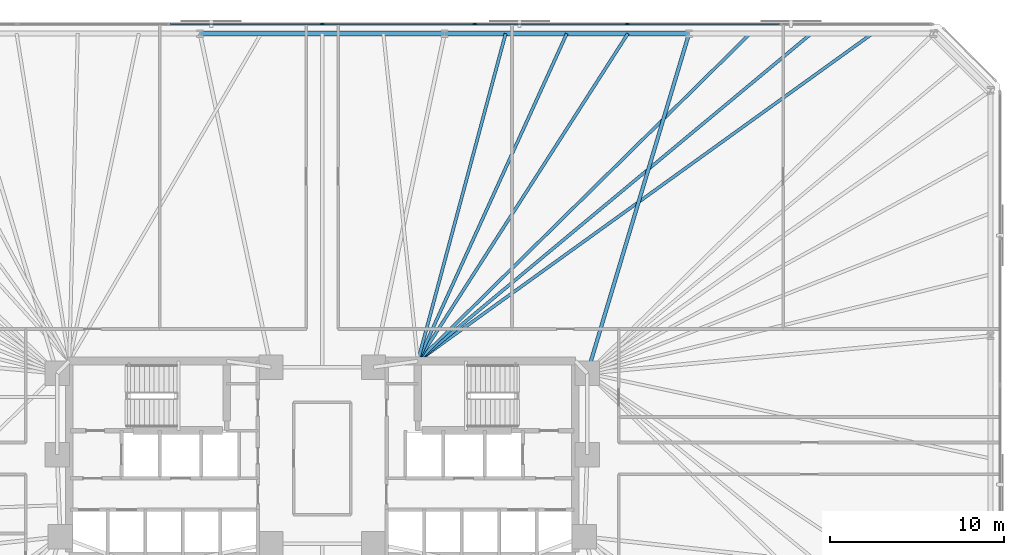
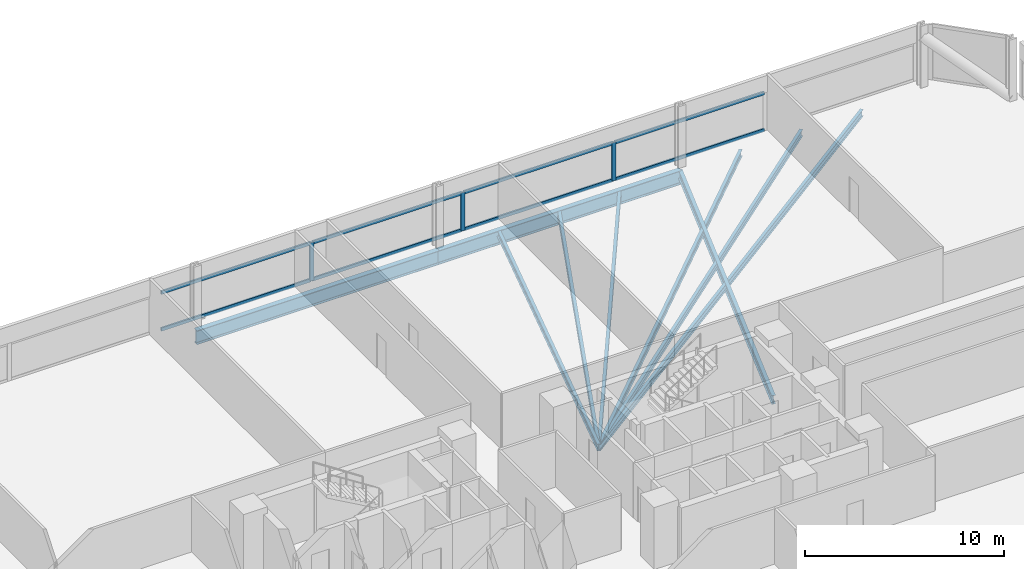
# One storey, part 9 of 17: 11 members, 9 beams, 1 element without a shape of its own.
"""IFC4 building model written with IfcOpenShell, lengths in metres."""

from ifc_helpers import new_model, si_unit, direction, frame, origin, origin_2d, place, context, subcontext, project, spatial, rectangle, i_section, extrude, material, material_profile, profile_set, type_object, element, aggregate, save


model = new_model("IFC4")

# Units and contexts
model_context = context("Model", 3, precision=1e-05, world=origin(), true_north=direction((0.0, 1.0)))
body_context = subcontext(model_context, "Body", "Model", "MODEL_VIEW")
ifc_project = project(units=[si_unit("LENGTHUNIT", "METRE"), si_unit("AREAUNIT", "SQUARE_METRE"), si_unit("VOLUMEUNIT", "CUBIC_METRE"), si_unit("PLANEANGLEUNIT", "RADIAN"), si_unit("MASSUNIT", "GRAM", prefix="KILO")], contexts=[model_context])

# Site, building, storey
site_placement = place(None, origin())
site = spatial("IfcSite", under=ifc_project, at=site_placement, CompositionType="ELEMENT")
building_placement = place(site_placement, origin())
building = spatial("IfcBuilding", under=site, at=building_placement, Name="Menara Jurai Vektor", CompositionType="ELEMENT")
storey_placement = place(building_placement, frame((0.0, 0.0, 75.0)))
storey = spatial("IfcBuildingStorey", under=building, at=storey_placement, Name="L18", CompositionType="ELEMENT", Elevation=75.0)

# Curtain wall, members
ifc_material_1 = material(Name="Anodised Pale Aluminium & Low-E Double Glazing", Category="aluminium")
curtain_wall_type = type_object("IfcCurtainWallType", Name="CW-BLK1", PredefinedType="NOTDEFINED", material=ifc_material_1)
curtain_wall_placement = place(storey_placement, origin())
curtain_wall = element("IfcCurtainWall", 1, at=curtain_wall_placement, inside=storey, type_object=curtain_wall_type, Name="Unitised Curtain Wall L18 F05", PredefinedType="NOTDEFINED")
ifc_material_2 = material(Name="Anodised Pale Aluminium Mullion", Category="aluminium")
ifc_material_profile_1 = material_profile(ifc_material_2, rectangle(XDim=0.094970703125, YDim=0.239990234375, at=origin_2d()), Name="ALU MUL 95x240")
ifc_profile_set_1 = profile_set([ifc_material_profile_1], Name="Anodised Pale Aluminium Mullion")
member_type_1 = type_object("IfcMemberType", Name="CW-BLK1-MUL", PredefinedType="MULLION", material=ifc_profile_set_1)
member_1_placement = place(storey_placement, frame((17.56005859375, 25.0, 0.0), z_axis=(0.0, 0.0, 1.0), x_axis=(0.0, -1.0, 0.0)))
member_1 = element("IfcMember", 2, at=member_1_placement, type_object=member_type_1, Name="CW-01 mullion 3", PredefinedType="MULLION", context=body_context, shape_type="SweptSolid", body=[
    extrude(rectangle(XDim=0.094970703125, YDim=0.239990234375, at=origin_2d()), origin(), (0.0, 0.0, 1.0), 2.35888671875),
])
member_2_placement = place(storey_placement, frame((8.780029296875, 25.0, 0.0), z_axis=(0.0, 0.0, 1.0), x_axis=(0.0, -1.0, 0.0)))
member_2 = element("IfcMember", 3, at=member_2_placement, type_object=member_type_1, Name="CW-01 mullion 4", PredefinedType="MULLION", context=body_context, shape_type="SweptSolid", body=[
    extrude(rectangle(XDim=0.094970703125, YDim=0.239990234375, at=origin_2d()), origin(), (0.0, 0.0, 1.0), 2.35888671875),
])
member_3_placement = place(storey_placement, frame((0.0, 25.0, 0.0), z_axis=(0.0, 0.0, 1.0), x_axis=(0.0, -1.0, 0.0)))
member_3 = element("IfcMember", 4, at=member_3_placement, type_object=member_type_1, Name="CW-01 mullion 5", PredefinedType="MULLION", context=body_context, shape_type="SweptSolid", body=[
    extrude(rectangle(XDim=0.094970703125, YDim=0.239990234375, at=origin_2d()), origin(), (0.0, 0.0, 1.0), 2.35888671875),
])
ifc_material_3 = material(Name="Anodised Pale Aluminium Transom", Category="aluminium")
ifc_material_profile_2 = material_profile(ifc_material_3, rectangle(XDim=0.094970703125, YDim=0.199951171875, at=origin_2d()), Name="ALU TRN 95x200")
ifc_profile_set_2 = profile_set([ifc_material_profile_2], Name="Anodised Pale Aluminium Transom")
member_type_2 = type_object("IfcMemberType", Name="CW-BLK1-TRN", PredefinedType="USERDEFINED", material=ifc_profile_set_2)
member_4_placement = place(storey_placement, frame((26.29248046875, 25.0, 0.047607421875), z_axis=(-1.0, 0.0, 0.0), x_axis=(0.0, -1.0, 0.0)))
member_4 = element("IfcMember", 5, at=member_4_placement, type_object=member_type_2, Name="CW-01 transom 2.1", ObjectType="TRANSOM", PredefinedType="USERDEFINED", context=body_context, shape_type="SweptSolid", body=[
    extrude(rectangle(XDim=0.094970703125, YDim=0.199951171875, at=origin_2d()), origin(), (0.0, 0.0, 1.0), 8.68505859375),
])
member_5_placement = place(storey_placement, frame((26.29248046875, 25.0, 2.3115234375), z_axis=(-1.0, 0.0, 0.0), x_axis=(0.0, -1.0, 0.0)))
member_5 = element("IfcMember", 6, at=member_5_placement, type_object=member_type_2, Name="CW-01 transom 2.2", ObjectType="TRANSOM", PredefinedType="USERDEFINED", context=body_context, shape_type="SweptSolid", body=[
    extrude(rectangle(XDim=0.094970703125, YDim=0.199951171875, at=origin_2d()), origin(), (0.0, 0.0, 1.0), 8.68505859375),
])
member_6_placement = place(storey_placement, frame((17.512451171875, 25.0, 0.047607421875), z_axis=(-1.0, 0.0, 0.0), x_axis=(0.0, -1.0, 0.0)))
member_6 = element("IfcMember", 7, at=member_6_placement, type_object=member_type_2, Name="CW-01 transom 3.1", ObjectType="TRANSOM", PredefinedType="USERDEFINED", context=body_context, shape_type="SweptSolid", body=[
    extrude(rectangle(XDim=0.094970703125, YDim=0.199951171875, at=origin_2d()), origin(), (0.0, 0.0, 1.0), 8.68505859375),
])
member_7_placement = place(storey_placement, frame((17.512451171875, 25.0, 2.3115234375), z_axis=(-1.0, 0.0, 0.0), x_axis=(0.0, -1.0, 0.0)))
member_7 = element("IfcMember", 8, at=member_7_placement, type_object=member_type_2, Name="CW-01 transom 3.2", ObjectType="TRANSOM", PredefinedType="USERDEFINED", context=body_context, shape_type="SweptSolid", body=[
    extrude(rectangle(XDim=0.094970703125, YDim=0.199951171875, at=origin_2d()), origin(), (0.0, 0.0, 1.0), 8.68505859375),
])
member_8_placement = place(storey_placement, frame((8.732421875, 25.0, 0.047607421875), z_axis=(-1.0, 0.0, 0.0), x_axis=(0.0, -1.0, 0.0)))
member_8 = element("IfcMember", 9, at=member_8_placement, type_object=member_type_2, Name="CW-01 transom 4.1", ObjectType="TRANSOM", PredefinedType="USERDEFINED", context=body_context, shape_type="SweptSolid", body=[
    extrude(rectangle(XDim=0.094970703125, YDim=0.199951171875, at=origin_2d()), origin(), (0.0, 0.0, 1.0), 8.684814453125),
])
member_9_placement = place(storey_placement, frame((8.732421875, 25.0, 2.3115234375), z_axis=(-1.0, 0.0, 0.0), x_axis=(0.0, -1.0, 0.0)))
member_9 = element("IfcMember", 10, at=member_9_placement, type_object=member_type_2, Name="CW-01 transom 4.2", ObjectType="TRANSOM", PredefinedType="USERDEFINED", context=body_context, shape_type="SweptSolid", body=[
    extrude(rectangle(XDim=0.094970703125, YDim=0.199951171875, at=origin_2d()), origin(), (0.0, 0.0, 1.0), 8.684814453125),
])
member_10_placement = place(storey_placement, frame((-0.047607421875, 25.0, 0.047607421875), z_axis=(-1.0, 0.0, 0.0), x_axis=(0.0, -1.0, 0.0)))
member_10 = element("IfcMember", 11, at=member_10_placement, type_object=member_type_2, Name="CW-01 transom 5.1", ObjectType="TRANSOM", PredefinedType="USERDEFINED", context=body_context, shape_type="SweptSolid", body=[
    extrude(rectangle(XDim=0.094970703125, YDim=0.199951171875, at=origin_2d()), origin(), (0.0, 0.0, 1.0), 8.684814453125),
])
member_11_placement = place(storey_placement, frame((-0.047607421875, 25.0, 2.3115234375), z_axis=(-1.0, 0.0, 0.0), x_axis=(0.0, -1.0, 0.0)))
member_11 = element("IfcMember", 12, at=member_11_placement, type_object=member_type_2, Name="CW-01 transom 5.2", ObjectType="TRANSOM", PredefinedType="USERDEFINED", context=body_context, shape_type="SweptSolid", body=[
    extrude(rectangle(XDim=0.094970703125, YDim=0.199951171875, at=origin_2d()), origin(), (0.0, 0.0, 1.0), 8.684814453125),
])
aggregate(curtain_wall, [member_1, member_2, member_3, member_4, member_5, member_6, member_7, member_8, member_9, member_10, member_11])

# Beams
ifc_material_4 = material(Name="Steel S355", Category="steel")
ifc_material_profile_3 = material_profile(ifc_material_4, i_section(OverallWidth=0.2109375, OverallDepth=0.5390625, WebThickness=0.011962890625, FlangeThickness=0.01904296875, FilletRadius=0.012939453125, at=origin_2d()), Name="UKB 533x210x109")
ifc_profile_set_3 = profile_set([ifc_material_profile_3], Name="Steel S355")
beam_type_1 = type_object("IfcBeamType", Name="STR-BM-533", PredefinedType="BEAM", material=ifc_profile_set_3)
beam_1_placement = place(storey_placement, frame((21.106689453125, 24.449951171875, -0.494384765625), z_axis=(-0.286973617166, -0.957938486047, 0.0), x_axis=(0.957938486047, -0.286973617166, 0.0)))
element("IfcBeam", 13, at=beam_1_placement, inside=storey, type_object=beam_type_1, Name="Radial Floor Girder L18-N2", PredefinedType="BEAM", context=body_context, shape_type="SweptSolid", body=[
    extrude(i_section(OverallWidth=0.2109375, OverallDepth=0.5390625, WebThickness=0.011962890625, FlangeThickness=0.01904296875, FilletRadius=0.012939453125, at=origin_2d()), origin(), (0.0, 0.0, 1.0), 20.408447265625),
])
ifc_material_profile_4 = material_profile(ifc_material_4, i_section(OverallWidth=0.178955078125, OverallDepth=0.408935546875, WebThickness=0.009033203125, FlangeThickness=0.013916015625, FilletRadius=0.010009765625, at=origin_2d()), Name="UKB 406x178x67")
ifc_profile_set_4 = profile_set([ifc_material_profile_4], Name="Steel S355")
beam_type_2 = type_object("IfcBeamType", Name="STR-JS-406", PredefinedType="JOIST", material=ifc_profile_set_4)
beam_2_placement = place(storey_placement, frame((31.659912109375, 24.449951171875, -0.429443359375), z_axis=(-0.81131785733, -0.584605280833, 0.0), x_axis=(0.584605280833, -0.81131785733, 0.0)))
element("IfcBeam", 14, at=beam_2_placement, inside=storey, type_object=beam_type_2, Name="Radial Secondary Floor Joist L18-JS16", PredefinedType="JOIST", context=body_context, shape_type="SweptSolid", body=[
    extrude(i_section(OverallWidth=0.178955078125, OverallDepth=0.408935546875, WebThickness=0.009033203125, FlangeThickness=0.013916015625, FilletRadius=0.010009765625, at=origin_2d()), origin(), (0.0, 0.0, 1.0), 32.24365234375),
])
beam_3_placement = place(storey_placement, frame((28.142333984375, 24.449951171875, -0.429443359375), z_axis=(-0.76853431665, -0.639808568347, 0.0), x_axis=(0.639808568347, -0.76853431665, 0.0)))
element("IfcBeam", 15, at=beam_3_placement, inside=storey, type_object=beam_type_2, Name="Radial Secondary Floor Joist L18-JS17", PredefinedType="JOIST", context=body_context, shape_type="SweptSolid", body=[
    extrude(i_section(OverallWidth=0.178955078125, OverallDepth=0.408935546875, WebThickness=0.009033203125, FlangeThickness=0.013916015625, FilletRadius=0.010009765625, at=origin_2d()), origin(), (0.0, 0.0, 1.0), 29.461669921875),
])
beam_4_placement = place(storey_placement, frame((24.62451171875, 24.449951171875, -0.429443359375), z_axis=(-0.712202462998, -0.70197411042, 0.0), x_axis=(0.70197411042, -0.712202462998, 0.0)))
element("IfcBeam", 16, at=beam_4_placement, inside=storey, type_object=beam_type_2, Name="Radial Secondary Floor Joist L18-JS18", PredefinedType="JOIST", context=body_context, shape_type="SweptSolid", body=[
    extrude(i_section(OverallWidth=0.178955078125, OverallDepth=0.408935546875, WebThickness=0.009033203125, FlangeThickness=0.013916015625, FilletRadius=0.010009765625, at=origin_2d()), origin(), (0.0, 0.0, 1.0), 26.8525390625),
])
beam_5_placement = place(storey_placement, frame((17.5888671875, 24.449951171875, -0.429443359375), z_axis=(-0.53984422461, -0.841764939372, 0.0), x_axis=(0.841764939372, -0.53984422461, 0.0)))
element("IfcBeam", 17, at=beam_5_placement, inside=storey, type_object=beam_type_2, Name="Radial Secondary Floor Joist L18-JS19", PredefinedType="JOIST", context=body_context, shape_type="SweptSolid", body=[
    extrude(i_section(OverallWidth=0.178955078125, OverallDepth=0.408935546875, WebThickness=0.009033203125, FlangeThickness=0.013916015625, FilletRadius=0.010009765625, at=origin_2d()), origin(), (0.0, 0.0, 1.0), 22.393310546875),
])
beam_6_placement = place(storey_placement, frame((14.071044921875, 24.449951171875, -0.429443359375), z_axis=(-0.413920197297, -0.910313171535, 0.0), x_axis=(0.910313171535, -0.413920197297, 0.0)))
element("IfcBeam", 18, at=beam_6_placement, inside=storey, type_object=beam_type_2, Name="Radial Secondary Floor Joist L18-JS20", PredefinedType="JOIST", context=body_context, shape_type="SweptSolid", body=[
    extrude(i_section(OverallWidth=0.178955078125, OverallDepth=0.408935546875, WebThickness=0.009033203125, FlangeThickness=0.013916015625, FilletRadius=0.010009765625, at=origin_2d()), origin(), (0.0, 0.0, 1.0), 20.70703125),
])
beam_7_placement = place(storey_placement, frame((10.55322265625, 24.449951171875, -0.429443359375), z_axis=(-0.258934723238, -0.965894823002, 0.0), x_axis=(0.965894823002, -0.258934723238, 0.0)))
element("IfcBeam", 19, at=beam_7_placement, inside=storey, type_object=beam_type_2, Name="Radial Secondary Floor Joist L18-JS21", PredefinedType="JOIST", context=body_context, shape_type="SweptSolid", body=[
    extrude(i_section(OverallWidth=0.178955078125, OverallDepth=0.408935546875, WebThickness=0.009033203125, FlangeThickness=0.013916015625, FilletRadius=0.010009765625, at=origin_2d()), origin(), (0.0, 0.0, 1.0), 19.515380859375),
])
ifc_material_5 = material(Name="Steel S460", Category="steel")
ifc_material_profile_5 = material_profile(ifc_material_5, i_section(OverallWidth=0.2939453125, OverallDepth=0.85107421875, WebThickness=0.01611328125, FlangeThickness=0.027099609375, FilletRadius=0.01806640625, at=origin_2d()), Name="UKB 838x292x226")
ifc_profile_set_5 = profile_set([ifc_material_profile_5], Name="Steel S460")
beam_type_3 = type_object("IfcBeamType", Name="STR-SP-838", PredefinedType="SPANDREL", material=ifc_profile_set_5)
beam_8_placement = place(storey_placement, frame((21.106689453125, 24.449951171875, -0.650390625), z_axis=(-1.0, 0.0, 0.0), x_axis=(0.0, -1.0, 0.0)))
element("IfcBeam", 20, at=beam_8_placement, inside=storey, type_object=beam_type_3, Name="Exoskeleton Spandrel Beam L18-12", PredefinedType="SPANDREL", context=body_context, shape_type="SweptSolid", body=[
    extrude(i_section(OverallWidth=0.2939453125, OverallDepth=0.85107421875, WebThickness=0.01611328125, FlangeThickness=0.027099609375, FilletRadius=0.01806640625, at=origin_2d()), origin(), (0.0, 0.0, 1.0), 14.071044921875),
])
beam_9_placement = place(storey_placement, frame((7.03564453125, 24.449951171875, -0.650390625), z_axis=(-1.0, 0.0, 0.0), x_axis=(0.0, -1.0, 0.0)))
element("IfcBeam", 21, at=beam_9_placement, inside=storey, type_object=beam_type_3, Name="Exoskeleton Spandrel Beam L18-13", PredefinedType="SPANDREL", context=body_context, shape_type="SweptSolid", body=[
    extrude(i_section(OverallWidth=0.2939453125, OverallDepth=0.85107421875, WebThickness=0.01611328125, FlangeThickness=0.027099609375, FilletRadius=0.01806640625, at=origin_2d()), origin(), (0.0, 0.0, 1.0), 14.0712890625),
])

save(model, "model.ifc")
